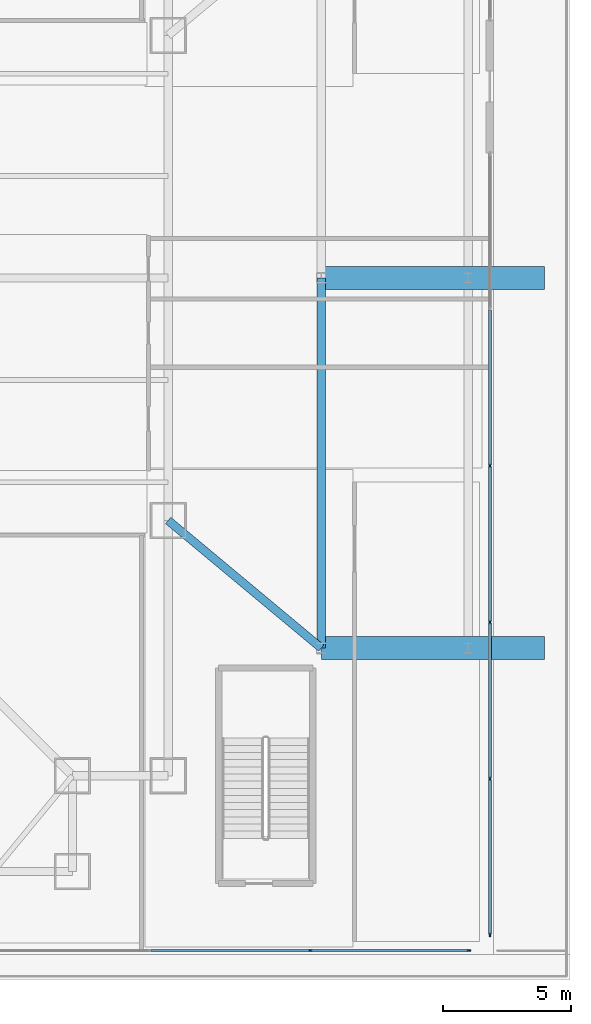
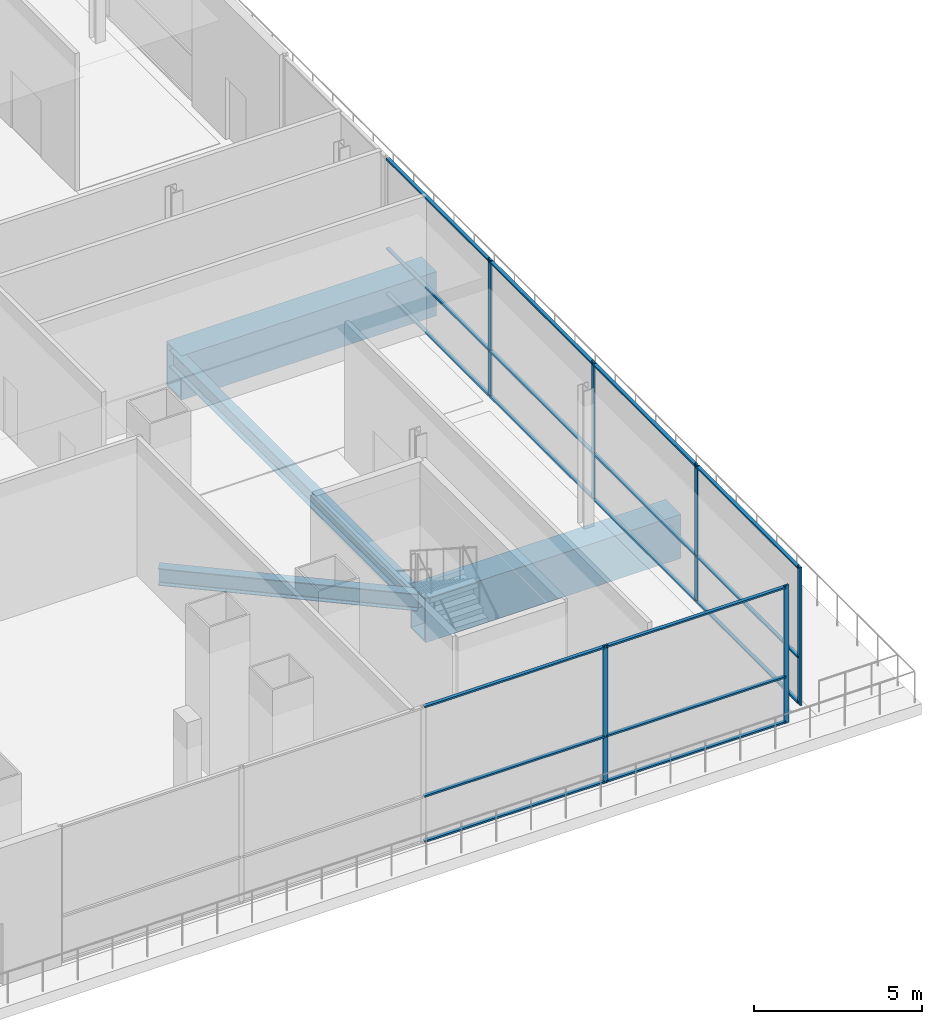
# One storey, part 17 of 35: 24 members, 4 beams, 2 elements without a shape of their own.
"""IFC4 building model written with IfcOpenShell, lengths in metres."""

from ifc_helpers import new_model, si_unit, direction, frame, origin, origin_2d, place, context, subcontext, project, spatial, rectangle, hollow_rectangle, i_section, extrude, material, layer, layer_set, material_profile, profile_set, type_object, element, aggregate, save


model = new_model("IFC4")

# Units and contexts
model_context = context("Model", 3, precision=1e-05, world=origin(), true_north=direction((0.0, 1.0)))
body_context = subcontext(model_context, "Body", "Model", "MODEL_VIEW")
ifc_project = project(units=[si_unit("LENGTHUNIT", "METRE"), si_unit("AREAUNIT", "SQUARE_METRE"), si_unit("VOLUMEUNIT", "CUBIC_METRE"), si_unit("PLANEANGLEUNIT", "RADIAN"), si_unit("MASSUNIT", "GRAM", prefix="KILO")], contexts=[model_context])

# Site, building, storey
site_placement = place(None, origin())
site = spatial("IfcSite", under=ifc_project, at=site_placement, CompositionType="ELEMENT")
building_placement = place(site_placement, origin())
building = spatial("IfcBuilding", under=site, at=building_placement, Name="Trevonay Congress Spire", CompositionType="ELEMENT")
storey_placement = place(building_placement, frame((0.0, 0.0, 10.800048828125)))
storey = spatial("IfcBuildingStorey", under=building, at=storey_placement, Name="L02", CompositionType="ELEMENT", Elevation=10.800048828125)

# Beams
ifc_material_1 = material(Name="Steel ASTM A572 Grade 50", Category="steel")
ifc_material_profile_1 = material_profile(ifc_material_1, i_section(OverallWidth=0.324951171875, OverallDepth=0.615966796875, WebThickness=0.013916015625, FlangeThickness=0.021484375, FilletRadius=0.01806640625, at=origin_2d()), Name="W610x174")
ifc_profile_set_1 = profile_set([ifc_material_profile_1], Name="Steel ASTM A572 Grade 50")
beam_type_1 = type_object("IfcBeamType", Name="BM-GIRD-W610X174", PredefinedType="BEAM", material=ifc_profile_set_1)
beam_1_placement = place(storey_placement, frame((29.25, -14.5, -0.7080078125), z_axis=(0.0, 1.0, 0.0), x_axis=(-1.0, 0.0, 0.0)))
element("IfcBeam", 1, at=beam_1_placement, inside=storey, type_object=beam_type_1, Name="L02 structural beam BM-L02-POD-EL", PredefinedType="BEAM", context=body_context, shape_type="SweptSolid", body=[
    extrude(i_section(OverallWidth=0.324951171875, OverallDepth=0.615966796875, WebThickness=0.013916015625, FlangeThickness=0.021484375, FilletRadius=0.01806640625, at=origin_2d()), origin(), (0.0, 0.0, 1.0), 14.5),
])
beam_2_placement = place(storey_placement, frame((23.25, -9.5, -0.7080078125), z_axis=(0.768221279597, -0.640184399664, 0.0), x_axis=(0.640184399664, 0.768221279597, 0.0)))
element("IfcBeam", 2, at=beam_2_placement, inside=storey, type_object=beam_type_1, Name="L02 structural beam BM-L02-POD-ET1", PredefinedType="BEAM", context=body_context, shape_type="SweptSolid", body=[
    extrude(i_section(OverallWidth=0.324951171875, OverallDepth=0.615966796875, WebThickness=0.013916015625, FlangeThickness=0.021484375, FilletRadius=0.01806640625, at=origin_2d()), origin(), (0.0, 0.0, 1.0), 7.810302734375),
])
ifc_material_profile_2 = material_profile(ifc_material_1, hollow_rectangle(XDim=0.89990234375, YDim=1.60009765625, WallThickness=0.06005859375, at=origin_2d()), Name="BOX 1600x900x60")
ifc_profile_set_2 = profile_set([ifc_material_profile_2], Name="Steel ASTM A572 Grade 50")
beam_type_2 = type_object("IfcBeamType", Name="BM-XFER-BOX1600", PredefinedType="BEAM", material=ifc_profile_set_2)
for number, where, z_axis, x_axis, name in (
    (3, (29.25, -14.5, -1.199951171875), (1.0, 0.0, 0.0), (0.0, 1.0, 0.0), "L02 structural beam BM-L02-EXE-S"),
    (4, (29.25, 0.0, -1.199951171875), (1.0, 0.0, 0.0), (0.0, 1.0, 0.0), "L02 structural beam BM-L02-EXE-C"),
):
    element("IfcBeam", number, at=place(storey_placement, frame(where, z_axis=z_axis, x_axis=x_axis)), inside=storey, type_object=beam_type_2, Name=name, PredefinedType="BEAM", context=body_context, shape_type="SweptSolid", body=[
        extrude(hollow_rectangle(XDim=0.89990234375, YDim=1.60009765625, WallThickness=0.06005859375, at=origin_2d()), origin(), (0.0, 0.0, 1.0), 8.75),
    ])

# Curtain wall, members
ifc_material_2 = material(Name="Pale Anodised Aluminium EN AW-6063-T6", Category="aluminium")
ifc_layer = layer(ifc_material_2, 0.179931640625, Name="Pale Anodised Aluminium EN AW-6063-T6")
ifc_layer_set = layer_set([ifc_layer], Name="Pale Anodised Aluminium EN AW-6063-T6")
curtain_wall_type = type_object("IfcCurtainWallType", Name="CW-SYS01-PODIUM-PALE-METAL", PredefinedType="NOTDEFINED", material=ifc_layer_set)
curtain_wall_1_placement = place(storey_placement, origin())
curtain_wall_1 = element("IfcCurtainWall", 5, at=curtain_wall_1_placement, inside=storey, type_object=curtain_wall_type, Name="L02 E1 podium curtain wall", PredefinedType="NOTDEFINED")
ifc_material_profile_3 = material_profile(ifc_material_2, rectangle(XDim=0.06005859375, YDim=0.159912109375, at=origin_2d()), Name="CW-MULLION-160-ALUMINIUM")
ifc_profile_set_3 = profile_set([ifc_material_profile_3], Name="Pale Anodised Aluminium EN AW-6063-T6")
member_type_1 = type_object("IfcMemberType", Name="CW-MULLION-160-ALUMINIUM", PredefinedType="MULLION", material=ifc_profile_set_3)
member_1_placement = place(storey_placement, frame((35.85009765625, -25.719970703125, 0.0), z_axis=(0.0, 0.0, 1.0), x_axis=(-1.0, 0.0, 0.0)))
member_1 = element("IfcMember", 6, at=member_1_placement, type_object=member_type_1, Name="CW01 mullion 1", PredefinedType="MULLION", context=body_context, shape_type="SweptSolid", body=[
    extrude(rectangle(XDim=0.06005859375, YDim=0.159912109375, at=origin_2d()), origin(), (0.0, 0.0, 1.0), 5.0),
])
member_2_placement = place(storey_placement, frame((35.85009765625, -19.6201171875, 0.0), z_axis=(0.0, 0.0, 1.0), x_axis=(-1.0, 0.0, 0.0)))
member_2 = element("IfcMember", 7, at=member_2_placement, type_object=member_type_1, Name="CW01 mullion 2", PredefinedType="MULLION", context=body_context, shape_type="SweptSolid", body=[
    extrude(rectangle(XDim=0.06005859375, YDim=0.159912109375, at=origin_2d()), origin(), (0.0, 0.0, 1.0), 5.0),
])
member_3_placement = place(storey_placement, frame((35.85009765625, -13.489990234375, 0.0), z_axis=(0.0, 0.0, 1.0), x_axis=(-1.0, 0.0, 0.0)))
member_3 = element("IfcMember", 8, at=member_3_placement, type_object=member_type_1, Name="CW01 mullion 3", PredefinedType="MULLION", context=body_context, shape_type="SweptSolid", body=[
    extrude(rectangle(XDim=0.06005859375, YDim=0.159912109375, at=origin_2d()), origin(), (0.0, 0.0, 1.0), 5.0),
])
member_4_placement = place(storey_placement, frame((35.85009765625, -7.360107421875, 0.0), z_axis=(0.0, 0.0, 1.0), x_axis=(-1.0, 0.0, 0.0)))
member_4 = element("IfcMember", 9, at=member_4_placement, type_object=member_type_1, Name="CW01 mullion 4", PredefinedType="MULLION", context=body_context, shape_type="SweptSolid", body=[
    extrude(rectangle(XDim=0.06005859375, YDim=0.159912109375, at=origin_2d()), origin(), (0.0, 0.0, 1.0), 5.0),
])

curtain_wall_2_placement = place(storey_placement, origin())
curtain_wall_2 = element("IfcCurtainWall", 10, at=curtain_wall_2_placement, inside=storey, type_object=curtain_wall_type, Name="L02 S2 podium curtain wall", PredefinedType="NOTDEFINED")
member_5_placement = place(storey_placement, frame((28.8125, -26.35009765625, 0.0), z_axis=(0.0, 0.0, 1.0), x_axis=(0.0, 1.0, 0.0)))
member_5 = element("IfcMember", 11, at=member_5_placement, type_object=member_type_1, Name="CW01 mullion 4", PredefinedType="MULLION", context=body_context, shape_type="SweptSolid", body=[
    extrude(rectangle(XDim=0.06005859375, YDim=0.159912109375, at=origin_2d()), origin(), (0.0, 0.0, 1.0), 5.0),
])
member_6_placement = place(storey_placement, frame((35.02001953125, -26.35009765625, 0.0), z_axis=(0.0, 0.0, 1.0), x_axis=(0.0, 1.0, 0.0)))
member_6 = element("IfcMember", 12, at=member_6_placement, type_object=member_type_1, Name="CW01 mullion 5", PredefinedType="MULLION", context=body_context, shape_type="SweptSolid", body=[
    extrude(rectangle(XDim=0.06005859375, YDim=0.159912109375, at=origin_2d()), origin(), (0.0, 0.0, 1.0), 5.0),
])

# Member
ifc_material_profile_4 = material_profile(ifc_material_2, rectangle(XDim=0.1201171875, YDim=0.06005859375, at=origin_2d()), Name="CW-TRANSOM-120-ALUMINIUM")
ifc_profile_set_4 = profile_set([ifc_material_profile_4], Name="Pale Anodised Aluminium EN AW-6063-T6")
member_type_2 = type_object("IfcMemberType", Name="CW-TRANSOM-120-ALUMINIUM", PredefinedType="USERDEFINED", material=ifc_profile_set_4)
member_7_placement = place(storey_placement, frame((35.85009765625, -25.68994140625, 0.06005859375), z_axis=(0.0, 1.0, 0.0), x_axis=(-1.0, 0.0, 0.0)))
member_7 = element("IfcMember", 13, at=member_7_placement, type_object=member_type_2, Name="CW01 transom 1.1", ObjectType="TRANSOM", PredefinedType="USERDEFINED", context=body_context, shape_type="SweptSolid", body=[
    extrude(rectangle(XDim=0.1201171875, YDim=0.06005859375, at=origin_2d()), origin(), (0.0, 0.0, 1.0), 6.0400390625),
])

member_8_placement = place(storey_placement, frame((35.85009765625, -25.68994140625, 1.699951171875), z_axis=(0.0, 1.0, 0.0), x_axis=(-1.0, 0.0, 0.0)))
member_8 = element("IfcMember", 14, at=member_8_placement, type_object=member_type_2, Name="CW01 transom 1.2", ObjectType="TRANSOM", PredefinedType="USERDEFINED", context=body_context, shape_type="SweptSolid", body=[
    extrude(rectangle(XDim=0.1201171875, YDim=0.06005859375, at=origin_2d()), origin(), (0.0, 0.0, 1.0), 6.0400390625),
])

member_9_placement = place(storey_placement, frame((35.85009765625, -25.68994140625, 4.93994140625), z_axis=(0.0, 1.0, 0.0), x_axis=(-1.0, 0.0, 0.0)))
member_9 = element("IfcMember", 15, at=member_9_placement, type_object=member_type_2, Name="CW01 transom 1.3", ObjectType="TRANSOM", PredefinedType="USERDEFINED", context=body_context, shape_type="SweptSolid", body=[
    extrude(rectangle(XDim=0.1201171875, YDim=0.06005859375, at=origin_2d()), origin(), (0.0, 0.0, 1.0), 6.0400390625),
])

member_10_placement = place(storey_placement, frame((35.85009765625, -19.590087890625, 0.06005859375), z_axis=(0.0, 1.0, 0.0), x_axis=(-1.0, 0.0, 0.0)))
member_10 = element("IfcMember", 16, at=member_10_placement, type_object=member_type_2, Name="CW01 transom 2.1", ObjectType="TRANSOM", PredefinedType="USERDEFINED", context=body_context, shape_type="SweptSolid", body=[
    extrude(rectangle(XDim=0.1201171875, YDim=0.06005859375, at=origin_2d()), origin(), (0.0, 0.0, 1.0), 6.070068359375),
])

member_11_placement = place(storey_placement, frame((35.85009765625, -19.590087890625, 1.699951171875), z_axis=(0.0, 1.0, 0.0), x_axis=(-1.0, 0.0, 0.0)))
member_11 = element("IfcMember", 17, at=member_11_placement, type_object=member_type_2, Name="CW01 transom 2.2", ObjectType="TRANSOM", PredefinedType="USERDEFINED", context=body_context, shape_type="SweptSolid", body=[
    extrude(rectangle(XDim=0.1201171875, YDim=0.06005859375, at=origin_2d()), origin(), (0.0, 0.0, 1.0), 6.070068359375),
])

member_12_placement = place(storey_placement, frame((35.85009765625, -19.590087890625, 4.93994140625), z_axis=(0.0, 1.0, 0.0), x_axis=(-1.0, 0.0, 0.0)))
member_12 = element("IfcMember", 18, at=member_12_placement, type_object=member_type_2, Name="CW01 transom 2.3", ObjectType="TRANSOM", PredefinedType="USERDEFINED", context=body_context, shape_type="SweptSolid", body=[
    extrude(rectangle(XDim=0.1201171875, YDim=0.06005859375, at=origin_2d()), origin(), (0.0, 0.0, 1.0), 6.070068359375),
])

member_13_placement = place(storey_placement, frame((35.85009765625, -13.4599609375, 0.06005859375), z_axis=(0.0, 1.0, 0.0), x_axis=(-1.0, 0.0, 0.0)))
member_13 = element("IfcMember", 19, at=member_13_placement, type_object=member_type_2, Name="CW01 transom 3.1", ObjectType="TRANSOM", PredefinedType="USERDEFINED", context=body_context, shape_type="SweptSolid", body=[
    extrude(rectangle(XDim=0.1201171875, YDim=0.06005859375, at=origin_2d()), origin(), (0.0, 0.0, 1.0), 6.070068359375),
])

member_14_placement = place(storey_placement, frame((35.85009765625, -13.4599609375, 1.699951171875), z_axis=(0.0, 1.0, 0.0), x_axis=(-1.0, 0.0, 0.0)))
member_14 = element("IfcMember", 20, at=member_14_placement, type_object=member_type_2, Name="CW01 transom 3.2", ObjectType="TRANSOM", PredefinedType="USERDEFINED", context=body_context, shape_type="SweptSolid", body=[
    extrude(rectangle(XDim=0.1201171875, YDim=0.06005859375, at=origin_2d()), origin(), (0.0, 0.0, 1.0), 6.070068359375),
])

member_15_placement = place(storey_placement, frame((35.85009765625, -13.4599609375, 4.93994140625), z_axis=(0.0, 1.0, 0.0), x_axis=(-1.0, 0.0, 0.0)))
member_15 = element("IfcMember", 21, at=member_15_placement, type_object=member_type_2, Name="CW01 transom 3.3", ObjectType="TRANSOM", PredefinedType="USERDEFINED", context=body_context, shape_type="SweptSolid", body=[
    extrude(rectangle(XDim=0.1201171875, YDim=0.06005859375, at=origin_2d()), origin(), (0.0, 0.0, 1.0), 6.070068359375),
])

member_16_placement = place(storey_placement, frame((35.85009765625, -7.330078125, 0.06005859375), z_axis=(0.0, 1.0, 0.0), x_axis=(-1.0, 0.0, 0.0)))
member_16 = element("IfcMember", 22, at=member_16_placement, type_object=member_type_2, Name="CW01 transom 4.1", ObjectType="TRANSOM", PredefinedType="USERDEFINED", context=body_context, shape_type="SweptSolid", body=[
    extrude(rectangle(XDim=0.1201171875, YDim=0.06005859375, at=origin_2d()), origin(), (0.0, 0.0, 1.0), 6.070068359375),
])

member_17_placement = place(storey_placement, frame((35.85009765625, -7.330078125, 1.699951171875), z_axis=(0.0, 1.0, 0.0), x_axis=(-1.0, 0.0, 0.0)))
member_17 = element("IfcMember", 23, at=member_17_placement, type_object=member_type_2, Name="CW01 transom 4.2", ObjectType="TRANSOM", PredefinedType="USERDEFINED", context=body_context, shape_type="SweptSolid", body=[
    extrude(rectangle(XDim=0.1201171875, YDim=0.06005859375, at=origin_2d()), origin(), (0.0, 0.0, 1.0), 6.070068359375),
])

member_18_placement = place(storey_placement, frame((35.85009765625, -7.330078125, 4.93994140625), z_axis=(0.0, 1.0, 0.0), x_axis=(-1.0, 0.0, 0.0)))
member_18 = element("IfcMember", 24, at=member_18_placement, type_object=member_type_2, Name="CW01 transom 4.3", ObjectType="TRANSOM", PredefinedType="USERDEFINED", context=body_context, shape_type="SweptSolid", body=[
    extrude(rectangle(XDim=0.1201171875, YDim=0.06005859375, at=origin_2d()), origin(), (0.0, 0.0, 1.0), 6.070068359375),
])

aggregate(curtain_wall_1, [member_1, member_2, member_3, member_4, member_7, member_8, member_9, member_10, member_11, member_12, member_13, member_14, member_15, member_16, member_17, member_18])

member_19_placement = place(storey_placement, frame((22.60498046875, -26.35009765625, 0.06005859375), z_axis=(1.0, 0.0, 0.0), x_axis=(0.0, 1.0, 0.0)))
member_19 = element("IfcMember", 25, at=member_19_placement, type_object=member_type_2, Name="CW01 transom 3.1", ObjectType="TRANSOM", PredefinedType="USERDEFINED", context=body_context, shape_type="SweptSolid", body=[
    extrude(rectangle(XDim=0.1201171875, YDim=0.06005859375, at=origin_2d()), origin(), (0.0, 0.0, 1.0), 6.177490234375),
])

member_20_placement = place(storey_placement, frame((22.60498046875, -26.35009765625, 1.699951171875), z_axis=(1.0, 0.0, 0.0), x_axis=(0.0, 1.0, 0.0)))
member_20 = element("IfcMember", 26, at=member_20_placement, type_object=member_type_2, Name="CW01 transom 3.2", ObjectType="TRANSOM", PredefinedType="USERDEFINED", context=body_context, shape_type="SweptSolid", body=[
    extrude(rectangle(XDim=0.1201171875, YDim=0.06005859375, at=origin_2d()), origin(), (0.0, 0.0, 1.0), 6.177490234375),
])

member_21_placement = place(storey_placement, frame((22.60498046875, -26.35009765625, 4.93994140625), z_axis=(1.0, 0.0, 0.0), x_axis=(0.0, 1.0, 0.0)))
member_21 = element("IfcMember", 27, at=member_21_placement, type_object=member_type_2, Name="CW01 transom 3.3", ObjectType="TRANSOM", PredefinedType="USERDEFINED", context=body_context, shape_type="SweptSolid", body=[
    extrude(rectangle(XDim=0.1201171875, YDim=0.06005859375, at=origin_2d()), origin(), (0.0, 0.0, 1.0), 6.177490234375),
])

member_22_placement = place(storey_placement, frame((28.842529296875, -26.35009765625, 0.06005859375), z_axis=(1.0, 0.0, 0.0), x_axis=(0.0, 1.0, 0.0)))
member_22 = element("IfcMember", 28, at=member_22_placement, type_object=member_type_2, Name="CW01 transom 4.1", ObjectType="TRANSOM", PredefinedType="USERDEFINED", context=body_context, shape_type="SweptSolid", body=[
    extrude(rectangle(XDim=0.1201171875, YDim=0.06005859375, at=origin_2d()), origin(), (0.0, 0.0, 1.0), 6.1474609375),
])

member_23_placement = place(storey_placement, frame((28.842529296875, -26.35009765625, 1.699951171875), z_axis=(1.0, 0.0, 0.0), x_axis=(0.0, 1.0, 0.0)))
member_23 = element("IfcMember", 29, at=member_23_placement, type_object=member_type_2, Name="CW01 transom 4.2", ObjectType="TRANSOM", PredefinedType="USERDEFINED", context=body_context, shape_type="SweptSolid", body=[
    extrude(rectangle(XDim=0.1201171875, YDim=0.06005859375, at=origin_2d()), origin(), (0.0, 0.0, 1.0), 6.1474609375),
])

member_24_placement = place(storey_placement, frame((28.842529296875, -26.35009765625, 4.93994140625), z_axis=(1.0, 0.0, 0.0), x_axis=(0.0, 1.0, 0.0)))
member_24 = element("IfcMember", 30, at=member_24_placement, type_object=member_type_2, Name="CW01 transom 4.3", ObjectType="TRANSOM", PredefinedType="USERDEFINED", context=body_context, shape_type="SweptSolid", body=[
    extrude(rectangle(XDim=0.1201171875, YDim=0.06005859375, at=origin_2d()), origin(), (0.0, 0.0, 1.0), 6.1474609375),
])

aggregate(curtain_wall_2, [member_5, member_6, member_19, member_20, member_21, member_22, member_23, member_24])

save(model, "model.ifc")
